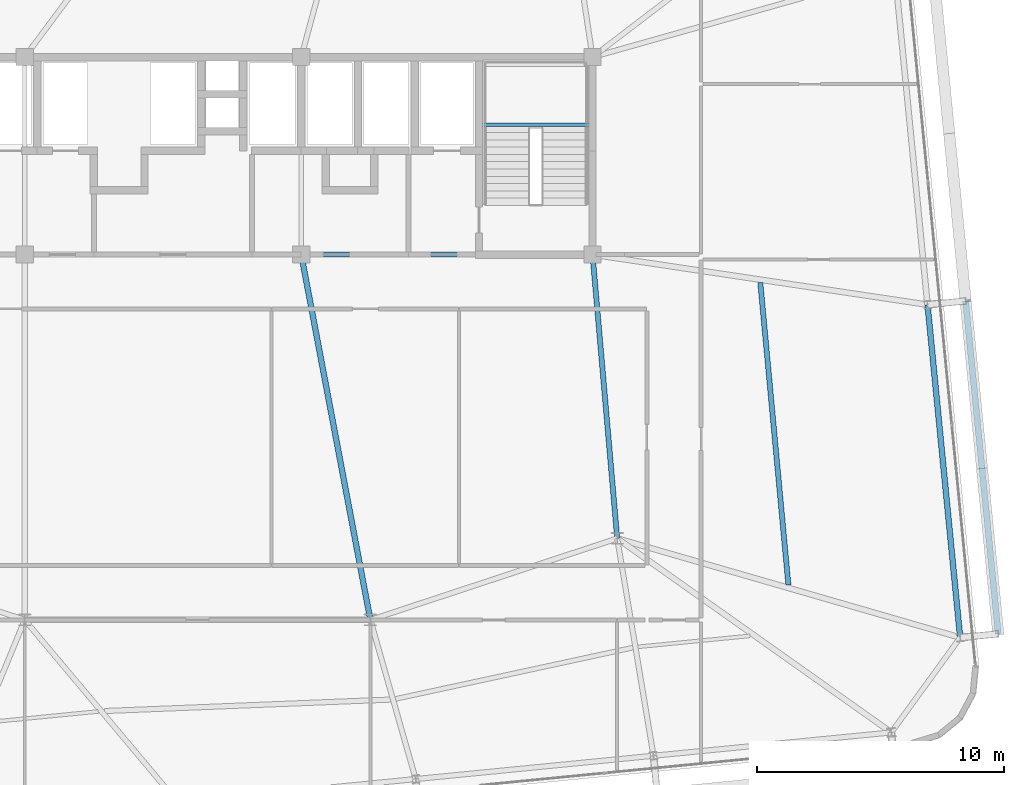
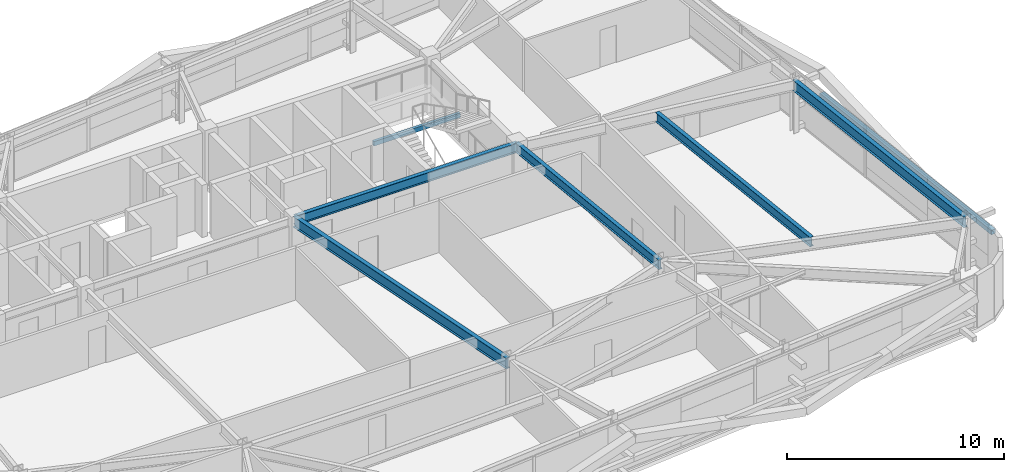
# One storey, part 20 of 47: 6 beams, 1 member.
"""IFC4 building model written with IfcOpenShell, lengths in metres."""

from ifc_helpers import new_model, si_unit, direction, frame, origin, origin_2d, place, context, subcontext, project, spatial, hollow_rectangle, i_section, extrude, source, transform, mapped, material, material_profile, profile_set, type_object, element, save


model = new_model("IFC4")

# Units and contexts
model_context = context("Model", 3, precision=1e-05, world=origin(), true_north=direction((0.0, 1.0)))
body_context = subcontext(model_context, "Body", "Model", "MODEL_VIEW")
ifc_project = project(units=[si_unit("LENGTHUNIT", "METRE"), si_unit("AREAUNIT", "SQUARE_METRE"), si_unit("VOLUMEUNIT", "CUBIC_METRE"), si_unit("PLANEANGLEUNIT", "RADIAN"), si_unit("MASSUNIT", "GRAM", prefix="KILO")], contexts=[model_context])

# Site, building, storey
site_placement = place(None, origin())
site = spatial("IfcSite", under=ifc_project, at=site_placement, CompositionType="ELEMENT")
building_placement = place(site_placement, origin())
building = spatial("IfcBuilding", under=site, at=building_placement, Name="Taldren Reach Tower", CompositionType="ELEMENT")
storey_placement = place(building_placement, frame((0.0, 0.0, 106.050048828125)))
storey = spatial("IfcBuildingStorey", under=building, at=storey_placement, Name="L32", CompositionType="ELEMENT", Elevation=106.050048828125)

# Beams
ifc_material_1 = material(Name="Steel Gr 350 (350PLUS)", Category="steel")
ifc_material_profile_1 = material_profile(ifc_material_1, i_section(OverallWidth=0.208984375, OverallDepth=0.532958984375, WebThickness=0.01025390625, FlangeThickness=0.015625, at=origin_2d()), Name="530UB92.4")
ifc_profile_set_1 = profile_set([ifc_material_profile_1], Name="Steel Gr 350 (350PLUS)")
beam_type_1 = type_object("IfcBeamType", Name="BM-UB530A", PredefinedType="BEAM", material=ifc_profile_set_1)
shared_shape_1 = source(origin(), body_context, "Body", "SweptSolid", [
    extrude(i_section(OverallWidth=0.208984375, OverallDepth=0.532958984375, WebThickness=0.01025390625, FlangeThickness=0.015625, at=origin_2d()), origin(), (0.0, 0.0, 1.0), 11.800048828125),
])
beam_1_placement = place(storey_placement, frame((39.199951171875, 24.0, 2.663330078125), z_axis=(1.0, 0.0, 0.0), x_axis=(0.0, 1.0, 0.0)))
element("IfcBeam", 1, at=beam_1_placement, inside=storey, type_object=beam_type_1, Name="Core-spine girder L32-SP03", PredefinedType="BEAM", context=body_context, shape_type="MappedRepresentation", body=[
    mapped(shared_shape_1, transform((0.0, 0.0, 0.0), scale=1.0)),
])
shared_shape_2 = source(origin(), body_context, "Body", "SweptSolid", [
    extrude(i_section(OverallWidth=0.208984375, OverallDepth=0.532958984375, WebThickness=0.01025390625, FlangeThickness=0.015625, at=origin_2d()), origin(), (0.0, 0.0, 1.0), 11.54345703125),
])
beam_2_placement = place(storey_placement, frame((52.0, 12.5, 2.663330078125), z_axis=(-0.086629616365, 0.996240588196, 0.0), x_axis=(-0.996240588196, -0.086629616365, 0.0)))
element("IfcBeam", 2, at=beam_2_placement, inside=storey, type_object=beam_type_1, Name="Core-spine girder L32-SP13", PredefinedType="BEAM", context=body_context, shape_type="MappedRepresentation", body=[
    mapped(shared_shape_2, transform((0.0, 0.0, 0.0), scale=1.0)),
])
ifc_material_profile_2 = material_profile(ifc_material_1, i_section(OverallWidth=0.22802734375, OverallDepth=0.60205078125, WebThickness=0.010498046875, FlangeThickness=0.014892578125, at=origin_2d()), Name="610UB101")
ifc_profile_set_2 = profile_set([ifc_material_profile_2], Name="Steel Gr 350 (350PLUS)")
beam_type_2 = type_object("IfcBeamType", Name="BM-UB610B", PredefinedType="BEAM", material=ifc_profile_set_2)
shared_shape_3 = source(origin(), body_context, "Body", "SweptSolid", [
    extrude(i_section(OverallWidth=0.22802734375, OverallDepth=0.60205078125, WebThickness=0.010498046875, FlangeThickness=0.014892578125, at=origin_2d()), origin(), (0.0, 0.0, 1.0), 15.0625),
])
beam_3_placement = place(storey_placement, frame((39.199951171875, 24.0, 2.62890625), z_axis=(0.185894205668, -0.982569765614, 0.0), x_axis=(0.982569765614, 0.185894205668, 0.0)))
element("IfcBeam", 3, at=beam_3_placement, inside=storey, type_object=beam_type_2, Name="Core-spine girder L32-SP15", PredefinedType="BEAM", context=body_context, shape_type="MappedRepresentation", body=[
    mapped(shared_shape_3, transform((0.0, 0.0, 0.0), scale=1.0)),
])
shared_shape_4 = source(origin(), body_context, "Body", "SweptSolid", [
    extrude(i_section(OverallWidth=0.22802734375, OverallDepth=0.60205078125, WebThickness=0.010498046875, FlangeThickness=0.014892578125, at=origin_2d()), origin(), (0.0, 0.0, 1.0), 13.550048828125),
])
beam_4_placement = place(storey_placement, frame((65.8916015625, 8.483642578125, 2.62890625), z_axis=(-0.097566175139, 0.995229039703, 0.0), x_axis=(-0.995229039703, -0.097566175139, 0.0)))
element("IfcBeam", 4, at=beam_4_placement, inside=storey, type_object=beam_type_2, Name="Perimeter gable girder B2 E1-E2 L32", PredefinedType="BEAM", context=body_context, shape_type="MappedRepresentation", body=[
    mapped(shared_shape_4, transform((0.0, 0.0, 0.0), scale=1.0)),
])
shared_shape_5 = source(origin(), body_context, "Body", "SweptSolid", [
    extrude(i_section(OverallWidth=0.208984375, OverallDepth=0.532958984375, WebThickness=0.01025390625, FlangeThickness=0.015625, at=origin_2d()), origin(), (0.0, 0.0, 1.0), 12.306396484375),
])
beam_5_placement = place(storey_placement, frame((58.9345703125, 10.61376953125, 2.663330078125), z_axis=(-0.092546068089, 0.995708403741, 0.0), x_axis=(-0.995708403741, -0.092546068089, 0.0)))
element("IfcBeam", 5, at=beam_5_placement, inside=storey, type_object=beam_type_1, Name="Secondary floor beam B2 J7 L32", PredefinedType="BEAM", context=body_context, shape_type="MappedRepresentation", body=[
    mapped(shared_shape_5, transform((0.0, 0.0, 0.0), scale=1.0)),
])

# Member
ifc_material_2 = material(Name="Steel Gr 350 (C350L0)", Category="steel")
ifc_material_profile_3 = material_profile(ifc_material_2, hollow_rectangle(XDim=0.25, YDim=0.25, WallThickness=0.010009765625, at=origin_2d()), Name="250x250x10.0SHS")
ifc_profile_set_3 = profile_set([ifc_material_profile_3], Name="Steel Gr 350 (C350L0)")
member_type = type_object("IfcMemberType", Name="MB-POST250", PredefinedType="POST", material=ifc_profile_set_3)
shared_shape_6 = source(origin(), body_context, "Body", "SweptSolid", [
    extrude(hollow_rectangle(XDim=0.25, YDim=0.25, WallThickness=0.010009765625, at=origin_2d()), origin(), (0.0, 0.0, 1.0), 13.550048828125),
])
member_placement = place(storey_placement, frame((67.434326171875, 8.634765625, 1.43505859375), z_axis=(-0.097584021339, 0.995227290009, 0.0), x_axis=(-0.995227290009, -0.097584021339, 0.0)))
element("IfcMember", 6, at=member_placement, inside=storey, type_object=member_type, Name="Exoskeleton mid-height ring chord B2-E1 L32", PredefinedType="POST", context=body_context, shape_type="MappedRepresentation", body=[
    mapped(shared_shape_6, transform((0.0, 0.0, 0.0), scale=1.0)),
])

# Beam
ifc_material_profile_4 = material_profile(ifc_material_2, hollow_rectangle(XDim=0.14990234375, YDim=0.25, WallThickness=0.009033203125, at=origin_2d()), Name="250x150x9.0RHS")
ifc_profile_set_4 = profile_set([ifc_material_profile_4], Name="Steel Gr 350 (C350L0)")
beam_type_3 = type_object("IfcBeamType", Name="LN-RHS250", PredefinedType="LINTEL", material=ifc_profile_set_4)
shared_shape_7 = source(origin(), body_context, "Body", "SweptSolid", [
    extrude(hollow_rectangle(XDim=0.14990234375, YDim=0.25, WallThickness=0.009033203125, at=origin_2d()), origin(), (0.0, 0.0, 1.0), 4.60009765625),
])
beam_6_placement = place(storey_placement, frame((46.39990234375, 29.2548828125, 1.27001953125), z_axis=(1.0, 0.0, 0.0), x_axis=(0.0, 1.0, 0.0)))
element("IfcBeam", 7, at=beam_6_placement, inside=storey, type_object=beam_type_3, Name="Stair half-landing support beam ST2-L32-1", PredefinedType="LINTEL", context=body_context, shape_type="MappedRepresentation", body=[
    mapped(shared_shape_7, transform((0.0, 0.0, 0.0), scale=1.0)),
])

save(model, "model.ifc")
